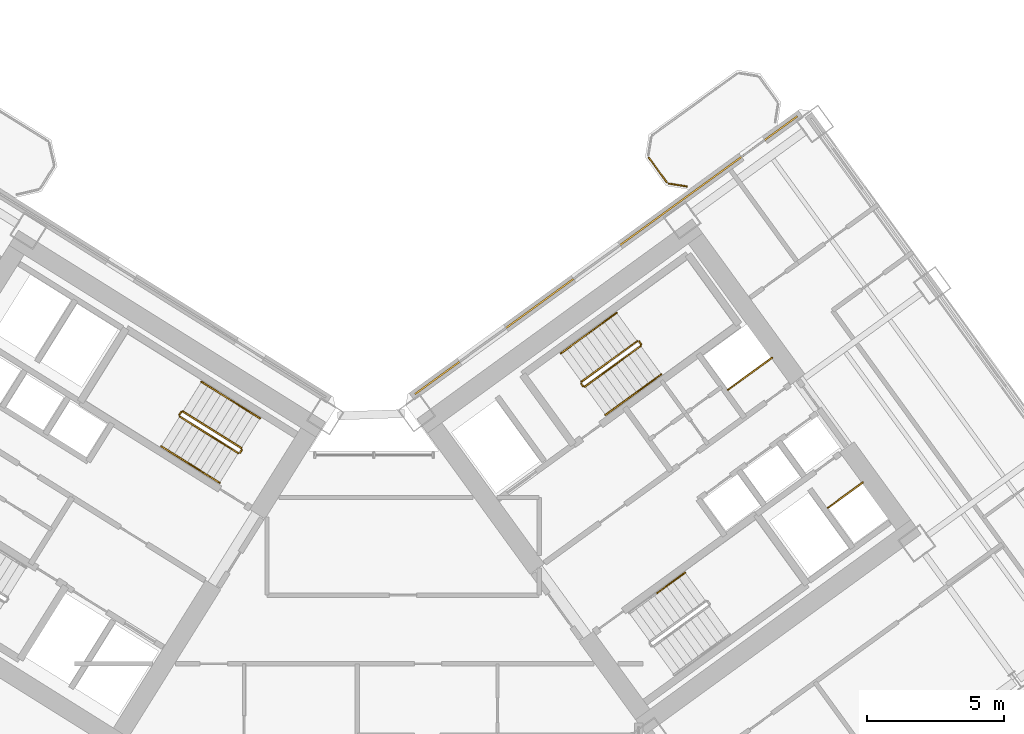
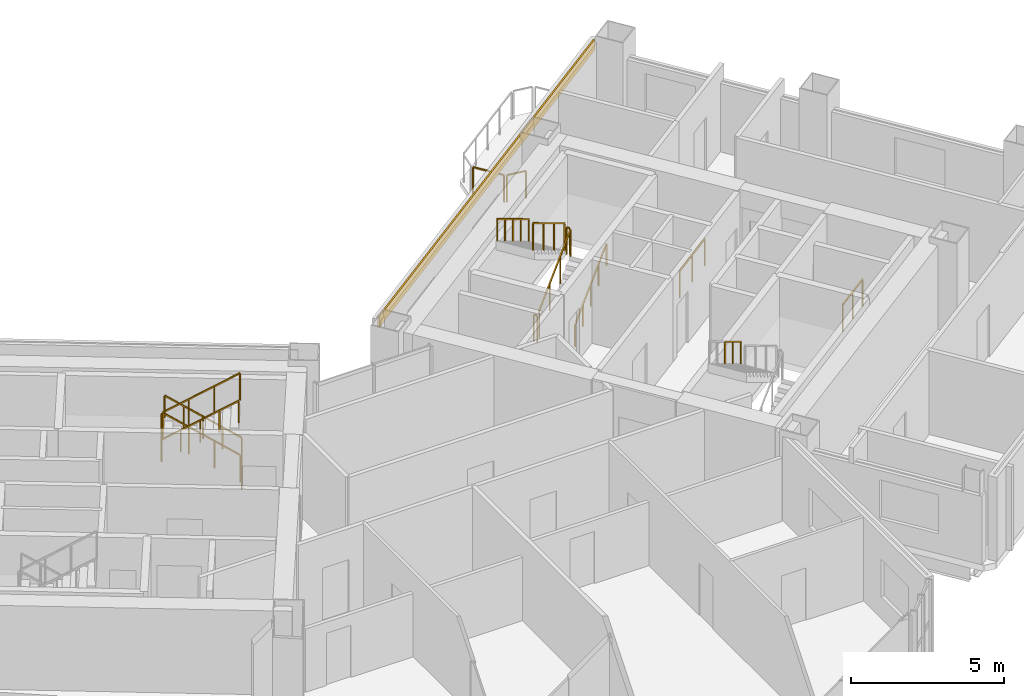
# One storey, part 27 of 28: 21 railings, 1 covering.
"""IFC4 building model written with IfcOpenShell, lengths in metres."""

from ifc_helpers import new_model, si_unit, direction, frame, origin, origin_2d, place, context, subcontext, project, spatial, rectangle, extrude, source, transform, mapped, material, layer, layer_set, type_object, element, save


model = new_model("IFC4")

# Units and contexts
model_context = context("Model", 3, precision=1e-05, world=origin(), true_north=direction((0.0, 1.0)))
body_context = subcontext(model_context, "Body", "Model", "MODEL_VIEW")
ifc_project = project(units=[si_unit("LENGTHUNIT", "METRE"), si_unit("AREAUNIT", "SQUARE_METRE"), si_unit("VOLUMEUNIT", "CUBIC_METRE"), si_unit("PLANEANGLEUNIT", "RADIAN"), si_unit("MASSUNIT", "GRAM", prefix="KILO")], contexts=[model_context])

# Site, building, storey
site_placement = place(None, origin())
site = spatial("IfcSite", under=ifc_project, at=site_placement, CompositionType="ELEMENT")
building_placement = place(site_placement, origin())
building = spatial("IfcBuilding", under=site, at=building_placement, Name="Tlacorven Tower", CompositionType="ELEMENT")
storey_placement = place(building_placement, frame((0.0, 0.0, 34.800048828125)))
storey = spatial("IfcBuildingStorey", under=building, at=storey_placement, Name="L08", CompositionType="ELEMENT", Elevation=34.800048828125)

# Railings
ifc_material_1 = material(Name="Aluminium and painted steel balustrade", Category="steel")
railing_type_1 = type_object("IfcRailingType", Name="RL-GRD-1100", PredefinedType="GUARDRAIL", material=ifc_material_1)
shared_shape_1 = source(origin(), body_context, "Body", "SweptSolid", [
    extrude(rectangle(XDim=0.048095703125, YDim=0.048095703125, at=origin_2d()), frame((0.0, 0.0, 1.076171875), z_axis=(0.808947177504, 0.587881334972, 0.0), x_axis=(-0.587881334972, 0.808947177504, 0.0)), (0.0, 0.0, 1.0), 2.0),
    extrude(rectangle(XDim=0.0419921875, YDim=0.0419921875, at=origin_2d()), origin(), (0.0, 0.0, 1.0), 1.052001953125),
    extrude(rectangle(XDim=0.0419921875, YDim=0.0419921875, at=origin_2d()), frame((0.80908203125, 0.587890625, 0.0)), (0.0, 0.0, 1.0), 1.052001953125),
    extrude(rectangle(XDim=0.0419921875, YDim=0.0419921875, at=origin_2d()), frame((1.617919921875, 1.17578125, 0.0)), (0.0, 0.0, 1.0), 1.052001953125),
])
railing_1_placement = place(storey_placement, frame((55.506103515625, 25.438232421875, 0.0)))
element("IfcRailing", 1, at=railing_1_placement, inside=storey, type_object=railing_type_1, Name="L08 Electrical Riser E Shaft Guard 1", PredefinedType="GUARDRAIL", context=body_context, shape_type="MappedRepresentation", body=[
    mapped(shared_shape_1, transform((0.0, 0.0, 0.0), scale=1.0)),
])
shared_shape_2 = source(origin(), body_context, "Body", "SweptSolid", [
    extrude(rectangle(XDim=0.048095703125, YDim=0.048095703125, at=origin_2d()), frame((0.0, 0.0, 1.076171875), z_axis=(0.809029975545, 0.58776738483, 0.0), x_axis=(-0.58776738483, 0.809029975545, 0.0)), (0.0, 0.0, 1.0), 1.580078125),
    extrude(rectangle(XDim=0.0419921875, YDim=0.0419921875, at=origin_2d()), origin(), (0.0, 0.0, 1.0), 1.052001953125),
    extrude(rectangle(XDim=0.0419921875, YDim=0.0419921875, at=origin_2d()), frame((0.63916015625, 0.46435546875, 0.0)), (0.0, 0.0, 1.0), 1.052001953125),
    extrude(rectangle(XDim=0.0419921875, YDim=0.0419921875, at=origin_2d()), frame((1.2783203125, 0.9287109375, 0.0)), (0.0, 0.0, 1.0), 1.052001953125),
])
railing_2_placement = place(storey_placement, frame((59.160888671875, 21.122314453125, 0.0)))
element("IfcRailing", 2, at=railing_2_placement, inside=storey, type_object=railing_type_1, Name="L08 Smoke Riser E Shaft Guard 1", PredefinedType="GUARDRAIL", context=body_context, shape_type="MappedRepresentation", body=[
    mapped(shared_shape_2, transform((0.0, 0.0, 0.0), scale=1.0)),
])
railing_type_2 = type_object("IfcRailingType", Name="RL-BAL-1100", PredefinedType="BALUSTRADE", material=ifc_material_1)
shared_shape_3 = source(origin(), body_context, "Body", "SweptSolid", [
    extrude(rectangle(XDim=0.048095703125, YDim=0.048095703125, at=origin_2d()), frame((0.0, 0.0, 1.076171875), z_axis=(-0.987718317463, 0.156245081039, 0.0), x_axis=(-0.156245081039, -0.987718317463, 0.0)), (0.0, 0.0, 1.0), 0.66552734375),
    extrude(rectangle(XDim=0.0419921875, YDim=0.0419921875, at=origin_2d()), origin(), (0.0, 0.0, 1.0), 1.052001953125),
    extrude(rectangle(XDim=0.0419921875, YDim=0.0419921875, at=origin_2d()), frame((-0.657470703125, 0.10400390625, 0.0)), (0.0, 0.0, 1.0), 1.052001953125),
])
railing_3_placement = place(storey_placement, frame((54.00341796875, 32.8759765625, 0.0)))
element("IfcRailing", 3, at=railing_3_placement, inside=storey, type_object=railing_type_2, Name="BAL-L08-E-IN Guard Railing 1", PredefinedType="BALUSTRADE", context=body_context, shape_type="MappedRepresentation", body=[
    mapped(shared_shape_3, transform((0.0, 0.0, 0.0), scale=1.0)),
])
shared_shape_4 = source(origin(), body_context, "Body", "SweptSolid", [
    extrude(rectangle(XDim=0.048095703125, YDim=0.048095703125, at=origin_2d()), frame((0.0, 0.0, 1.076171875), z_axis=(-0.587740817519, 0.809049276263, 0.0), x_axis=(-0.809049276263, -0.587740817519, 0.0)), (0.0, 0.0, 1.0), 1.112060546875),
    extrude(rectangle(XDim=0.0419921875, YDim=0.0419921875, at=origin_2d()), origin(), (0.0, 0.0, 1.0), 1.052001953125),
    extrude(rectangle(XDim=0.0419921875, YDim=0.0419921875, at=origin_2d()), frame((-0.653564453125, 0.899658203125, 0.0)), (0.0, 0.0, 1.0), 1.052001953125),
])
railing_4_placement = place(storey_placement, frame((53.26708984375, 33.0283203125, 0.0)))
element("IfcRailing", 4, at=railing_4_placement, inside=storey, type_object=railing_type_2, Name="BAL-L08-E-IN Guard Railing 2", PredefinedType="BALUSTRADE", context=body_context, shape_type="MappedRepresentation", body=[
    mapped(shared_shape_4, transform((0.0, 0.0, 0.0), scale=1.0)),
])

# Covering
ifc_material_2 = material(Name="Precast concrete C45/55", Category="concrete")
ifc_layer = layer(ifc_material_2, 0.06005859375)
ifc_layer_set = layer_set([ifc_layer], Name="Precast concrete C45/55")
covering_type = type_object("IfcCoveringType", Name="CV-CLD-TERC", PredefinedType="CLADDING", material=ifc_layer_set)
shared_shape_5 = source(origin(), body_context, "Body", "SweptSolid", [
    extrude(rectangle(XDim=17.287353515625, YDim=0.06005859375, at=origin_2d()), origin(), (0.0, 0.0, 1.0), 0.419921875),
])
covering_placement = place(storey_placement, frame((51.05224609375, 30.360595703125, 2.929931640625), z_axis=(0.0, 0.0, 1.0), x_axis=(0.809017097486, 0.587785110372, 0.0)))
element("IfcCovering", 5, at=covering_placement, inside=storey, type_object=covering_type, Name="L08 Masonry-Frame Spandrel Cladding 4", PredefinedType="CLADDING", context=body_context, shape_type="MappedRepresentation", body=[
    mapped(shared_shape_5, transform((0.0, 0.0, 0.0), scale=1.0)),
])

# Railings
shared_shape_6 = source(origin(), body_context, "Body", "SweptSolid", [
    extrude(rectangle(XDim=0.048095703125, YDim=0.048095703125, at=origin_2d()), frame((0.0, 0.0, 1.076171875), z_axis=(-0.713319727316, 0.445773895627, 0.540796265334), x_axis=(-0.529955395941, -0.84802551749, 0.0)), (0.0, 0.0, 1.0), 2.995849609375),
    extrude(rectangle(XDim=0.0419921875, YDim=0.0419921875, at=origin_2d()), origin(), (0.0, 0.0, 1.0), 1.052001953125),
    extrude(rectangle(XDim=0.0419921875, YDim=0.0419921875, at=origin_2d()), frame((-0.71240234375, 0.445068359375, 0.5400390625)), (0.0, 0.0, 1.0), 1.052001953125),
    extrude(rectangle(XDim=0.0419921875, YDim=0.0419921875, at=origin_2d()), frame((-1.424560546875, 0.890380859375, 1.080078125)), (0.0, 0.0, 1.0), 1.052001953125),
    extrude(rectangle(XDim=0.0419921875, YDim=0.0419921875, at=origin_2d()), frame((-2.136962890625, 1.33544921875, 1.6201171875)), (0.0, 0.0, 1.0), 1.052001953125),
])
railing_5_placement = place(storey_placement, frame((37.712158203125, 23.3095703125, 0.179931640625)))
element("IfcRailing", 6, at=railing_5_placement, inside=storey, type_object=railing_type_1, Name="L08 ST-W2 stair guard 1", PredefinedType="GUARDRAIL", context=body_context, shape_type="MappedRepresentation", body=[
    mapped(shared_shape_6, transform((0.0, 0.0, 0.0), scale=1.0)),
])
shared_shape_7 = source(origin(), body_context, "Body", "SweptSolid", [
    extrude(rectangle(XDim=0.048095703125, YDim=0.048095703125, at=origin_2d()), frame((0.0, 0.0, 1.076171875), z_axis=(-0.530546985787, -0.847655529016, 0.0), x_axis=(0.847655529016, -0.530546985787, 0.0)), (0.0, 0.0, 1.0), 0.1201171875),
    extrude(rectangle(XDim=0.0419921875, YDim=0.0419921875, at=origin_2d()), origin(), (0.0, 0.0, 1.0), 1.052001953125),
    extrude(rectangle(XDim=0.0419921875, YDim=0.0419921875, at=origin_2d()), frame((-0.063720703125, -0.101806640625, 0.0)), (0.0, 0.0, 1.0), 1.052001953125),
])
railing_6_placement = place(storey_placement, frame((37.728271484375, 23.24072265625, 0.0)))
element("IfcRailing", 7, at=railing_6_placement, inside=storey, type_object=railing_type_1, Name="L08 ST-W2 stair guard 4", PredefinedType="GUARDRAIL", context=body_context, shape_type="MappedRepresentation", body=[
    mapped(shared_shape_7, transform((0.0, 0.0, 0.0), scale=1.0)),
])
railing_type_3 = type_object("IfcRailingType", Name="RL-HND-0900", PredefinedType="HANDRAIL", material=ifc_material_1)
shared_shape_8 = source(origin(), body_context, "Body", "SweptSolid", [
    extrude(rectangle(XDim=0.048095703125, YDim=0.048095703125, at=origin_2d()), frame((0.0, 0.0, 0.8759765625), z_axis=(-0.713359751793, 0.4457479829, 0.540764828981), x_axis=(-0.529911857636, -0.848052724267, 0.0)), (0.0, 0.0, 1.0), 1.498046875),
    extrude(rectangle(XDim=0.0419921875, YDim=0.0419921875, at=origin_2d()), origin(), (0.0, 0.0, 1.0), 0.851806640625),
    extrude(rectangle(XDim=0.0419921875, YDim=0.0419921875, at=origin_2d()), frame((-0.5341796875, 0.333984375, 0.405029296875)), (0.0, 0.0, 1.0), 0.851806640625),
    extrude(rectangle(XDim=0.0419921875, YDim=0.0419921875, at=origin_2d()), frame((-1.068603515625, 0.667724609375, 0.81005859375)), (0.0, 0.0, 1.0), 0.851806640625),
])
for number, where, name in (
    (8, (38.390625, 24.39501953125, 0.179931640625), "L08 ST-W2 stair handrail 1"),
    (9, (37.322021484375, 25.062744140625, 0.989990234375), "L08 ST-W2 stair handrail 2"),
):
    element("IfcRailing", number, at=place(storey_placement, frame(where)), inside=storey, type_object=railing_type_3, Name=name, PredefinedType="HANDRAIL", context=body_context, shape_type="MappedRepresentation", body=[
        mapped(shared_shape_8, transform((0.0, 0.0, 0.0), scale=1.0)),
    ])
shared_shape_9 = source(origin(), body_context, "Body", "SweptSolid", [
    extrude(rectangle(XDim=0.048095703125, YDim=0.048095703125, at=origin_2d()), frame((0.0, 0.0, 0.8759765625), z_axis=(0.713359751793, -0.4457479829, 0.540764828981), x_axis=(0.529911857636, 0.848052724267, 0.0)), (0.0, 0.0, 1.0), 1.498046875),
    extrude(rectangle(XDim=0.0419921875, YDim=0.0419921875, at=origin_2d()), origin(), (0.0, 0.0, 1.0), 0.851806640625),
    extrude(rectangle(XDim=0.0419921875, YDim=0.0419921875, at=origin_2d()), frame((0.5341796875, -0.333984375, 0.405029296875)), (0.0, 0.0, 1.0), 0.851806640625),
    extrude(rectangle(XDim=0.0419921875, YDim=0.0419921875, at=origin_2d()), frame((1.068603515625, -0.667724609375, 0.81005859375)), (0.0, 0.0, 1.0), 0.851806640625),
])
railing_7_placement = place(storey_placement, frame((34.7802734375, 23.372802734375, 1.97998046875)))
element("IfcRailing", 10, at=railing_7_placement, inside=storey, type_object=railing_type_3, Name="L08 ST-W2 stair handrail 3", PredefinedType="HANDRAIL", context=body_context, shape_type="MappedRepresentation", body=[
    mapped(shared_shape_9, transform((0.0, 0.0, 0.0), scale=1.0)),
])
shared_shape_10 = source(origin(), body_context, "Body", "SweptSolid", [
    extrude(rectangle(XDim=0.048095703125, YDim=0.048095703125, at=origin_2d()), frame((0.0, 0.0, 0.8759765625), z_axis=(0.713422621445, -0.445787267455, 0.540649494022), x_axis=(0.529911857636, 0.848052724267, 0.0)), (0.0, 0.0, 1.0), 1.497802734375),
    extrude(rectangle(XDim=0.0419921875, YDim=0.0419921875, at=origin_2d()), origin(), (0.0, 0.0, 1.0), 0.851806640625),
    extrude(rectangle(XDim=0.0419921875, YDim=0.0419921875, at=origin_2d()), frame((0.5341796875, -0.333984375, 0.40478515625)), (0.0, 0.0, 1.0), 0.851806640625),
    extrude(rectangle(XDim=0.0419921875, YDim=0.0419921875, at=origin_2d()), frame((1.068603515625, -0.667724609375, 0.809814453125)), (0.0, 0.0, 1.0), 0.851806640625),
])
railing_8_placement = place(storey_placement, frame((35.848876953125, 22.705078125, 2.7900390625)))
element("IfcRailing", 11, at=railing_8_placement, inside=storey, type_object=railing_type_3, Name="L08 ST-W2 stair handrail 4", PredefinedType="HANDRAIL", context=body_context, shape_type="MappedRepresentation", body=[
    mapped(shared_shape_10, transform((0.0, 0.0, 0.0), scale=1.0)),
])
shared_shape_11 = source(origin(), body_context, "Body", "SweptSolid", [
    extrude(rectangle(XDim=0.048095703125, YDim=0.048095703125, at=origin_2d()), frame((0.0, 0.0, 1.076171875), z_axis=(-0.531462422766, -0.847081869236, 0.0), x_axis=(0.847081869236, -0.531462422766, 0.0)), (0.0, 0.0, 1.0), 0.119873046875),
    extrude(rectangle(XDim=0.0419921875, YDim=0.0419921875, at=origin_2d()), origin(), (0.0, 0.0, 1.0), 1.052001953125),
    extrude(rectangle(XDim=0.0419921875, YDim=0.0419921875, at=origin_2d()), frame((-0.063720703125, -0.1015625, 0.0)), (0.0, 0.0, 1.0), 1.052001953125),
])
railing_9_placement = place(storey_placement, frame((35.50634765625, 24.62890625, 1.800048828125)))
element("IfcRailing", 12, at=railing_9_placement, inside=storey, type_object=railing_type_1, Name="L08 ST-W2 stair guard 2", PredefinedType="GUARDRAIL", context=body_context, shape_type="MappedRepresentation", body=[
    mapped(shared_shape_11, transform((0.0, 0.0, 0.0), scale=1.0)),
])
shared_shape_12 = source(origin(), body_context, "Body", "SweptSolid", [
    extrude(rectangle(XDim=0.048095703125, YDim=0.048095703125, at=origin_2d()), frame((0.0, 0.0, 1.076171875), z_axis=(0.713417101326, -0.445702322042, 0.540726806865), x_axis=(0.52984217967, 0.848096259066, 0.0)), (0.0, 0.0, 1.0), 2.995849609375),
    extrude(rectangle(XDim=0.0419921875, YDim=0.0419921875, at=origin_2d()), origin(), (0.0, 0.0, 1.0), 1.052001953125),
    extrude(rectangle(XDim=0.0419921875, YDim=0.0419921875, at=origin_2d()), frame((0.71240234375, -0.445068359375, 0.5400390625)), (0.0, 0.0, 1.0), 1.052001953125),
    extrude(rectangle(XDim=0.0419921875, YDim=0.0419921875, at=origin_2d()), frame((1.4248046875, -0.89013671875, 1.079833984375)), (0.0, 0.0, 1.0), 1.052001953125),
    extrude(rectangle(XDim=0.0419921875, YDim=0.0419921875, at=origin_2d()), frame((2.13720703125, -1.335205078125, 1.619873046875)), (0.0, 0.0, 1.0), 1.052001953125),
])
railing_10_placement = place(storey_placement, frame((35.45849609375, 24.458251953125, 1.97998046875)))
element("IfcRailing", 13, at=railing_10_placement, inside=storey, type_object=railing_type_1, Name="L08 ST-W2 stair guard 3", PredefinedType="GUARDRAIL", context=body_context, shape_type="MappedRepresentation", body=[
    mapped(shared_shape_12, transform((0.0, 0.0, 0.0), scale=1.0)),
])
shared_shape_13 = source(origin(), body_context, "Body", "SweptSolid", [
    extrude(rectangle(XDim=0.048095703125, YDim=0.048095703125, at=origin_2d()), frame((0.0, 0.0, 1.076171875), z_axis=(-0.587201422542, 0.809440849824, 0.0), x_axis=(-0.809440849824, -0.587201422542, 0.0)), (0.0, 0.0, 1.0), 0.11962890625),
    extrude(rectangle(XDim=0.0419921875, YDim=0.0419921875, at=origin_2d()), origin(), (0.0, 0.0, 1.0), 1.052001953125),
    extrude(rectangle(XDim=0.0419921875, YDim=0.0419921875, at=origin_2d()), frame((-0.0703125, 0.096923828125, 0.0)), (0.0, 0.0, 1.0), 1.052001953125),
])
for number, where, name in (
    (14, (52.326904296875, 27.10888671875, 1.800048828125), "L08 ST-E1 stair guard 2"),
    (15, (50.207275390625, 25.56884765625, 0.0), "L08 ST-E1 stair guard 4"),
):
    element("IfcRailing", number, at=place(storey_placement, frame(where)), inside=storey, type_object=railing_type_1, Name=name, PredefinedType="GUARDRAIL", context=body_context, shape_type="MappedRepresentation", body=[
        mapped(shared_shape_13, transform((0.0, 0.0, 0.0), scale=1.0)),
    ])
shared_shape_14 = source(origin(), body_context, "Body", "SweptSolid", [
    extrude(rectangle(XDim=0.048095703125, YDim=0.048095703125, at=origin_2d()), frame((0.0, 0.0, 1.076171875), z_axis=(0.680488636597, 0.494434078831, 0.540805100894), x_axis=(-0.5878087079, 0.808999952359, 0.0)), (0.0, 0.0, 1.0), 2.995849609375),
    extrude(rectangle(XDim=0.0419921875, YDim=0.0419921875, at=origin_2d()), origin(), (0.0, 0.0, 1.0), 1.052001953125),
    extrude(rectangle(XDim=0.0419921875, YDim=0.0419921875, at=origin_2d()), frame((0.679443359375, 0.49365234375, 0.5400390625)), (0.0, 0.0, 1.0), 1.052001953125),
    extrude(rectangle(XDim=0.0419921875, YDim=0.0419921875, at=origin_2d()), frame((1.359130859375, 0.987548828125, 1.080078125)), (0.0, 0.0, 1.0), 1.052001953125),
    extrude(rectangle(XDim=0.0419921875, YDim=0.0419921875, at=origin_2d()), frame((2.03857421875, 1.481201171875, 1.6201171875)), (0.0, 0.0, 1.0), 1.052001953125),
])
railing_11_placement = place(storey_placement, frame((50.27734375, 25.557861328125, 0.179931640625)))
element("IfcRailing", 16, at=railing_11_placement, inside=storey, type_object=railing_type_1, Name="L08 ST-E1 stair guard 1", PredefinedType="GUARDRAIL", context=body_context, shape_type="MappedRepresentation", body=[
    mapped(shared_shape_14, transform((0.0, 0.0, 0.0), scale=1.0)),
])
shared_shape_15 = source(origin(), body_context, "Body", "SweptSolid", [
    extrude(rectangle(XDim=0.048095703125, YDim=0.048095703125, at=origin_2d()), frame((0.0, 0.0, 0.8759765625), z_axis=(0.680516055757, 0.494372502302, 0.540826891737), x_axis=(-0.587745292299, 0.809046025502, 0.0)), (0.0, 0.0, 1.0), 1.497802734375),
    extrude(rectangle(XDim=0.0419921875, YDim=0.0419921875, at=origin_2d()), origin(), (0.0, 0.0, 1.0), 0.851806640625),
    extrude(rectangle(XDim=0.0419921875, YDim=0.0419921875, at=origin_2d()), frame((0.509765625, 0.3701171875, 0.405029296875)), (0.0, 0.0, 1.0), 0.851806640625),
    extrude(rectangle(XDim=0.0419921875, YDim=0.0419921875, at=origin_2d()), frame((1.019287109375, 0.740478515625, 0.81005859375)), (0.0, 0.0, 1.0), 0.851806640625),
])
railing_12_placement = place(storey_placement, frame((51.029541015625, 24.522216796875, 0.179931640625)))
element("IfcRailing", 17, at=railing_12_placement, inside=storey, type_object=railing_type_3, Name="L08 ST-E1 stair handrail 1", PredefinedType="HANDRAIL", context=body_context, shape_type="MappedRepresentation", body=[
    mapped(shared_shape_15, transform((0.0, 0.0, 0.0), scale=1.0)),
])
shared_shape_16 = source(origin(), body_context, "Body", "SweptSolid", [
    extrude(rectangle(XDim=0.048095703125, YDim=0.048095703125, at=origin_2d()), frame((0.0, 0.0, 0.8759765625), z_axis=(0.680548719995, 0.49444080854, 0.540723336433), x_axis=(-0.587779977844, 0.80902082646, 0.0)), (0.0, 0.0, 1.0), 1.498046875),
    extrude(rectangle(XDim=0.0419921875, YDim=0.0419921875, at=origin_2d()), origin(), (0.0, 0.0, 1.0), 0.851806640625),
    extrude(rectangle(XDim=0.0419921875, YDim=0.0419921875, at=origin_2d()), frame((0.509765625, 0.370361328125, 0.405029296875)), (0.0, 0.0, 1.0), 0.851806640625),
    extrude(rectangle(XDim=0.0419921875, YDim=0.0419921875, at=origin_2d()), frame((1.01953125, 0.74072265625, 0.81005859375)), (0.0, 0.0, 1.0), 0.851806640625),
])
railing_13_placement = place(storey_placement, frame((52.048828125, 25.2626953125, 0.989990234375)))
element("IfcRailing", 18, at=railing_13_placement, inside=storey, type_object=railing_type_3, Name="L08 ST-E1 stair handrail 2", PredefinedType="HANDRAIL", context=body_context, shape_type="MappedRepresentation", body=[
    mapped(shared_shape_16, transform((0.0, 0.0, 0.0), scale=1.0)),
])
shared_shape_17 = source(origin(), body_context, "Body", "SweptSolid", [
    extrude(rectangle(XDim=0.048095703125, YDim=0.048095703125, at=origin_2d()), frame((0.0, 0.0, 0.8759765625), z_axis=(-0.680603554404, -0.494317667746, 0.540766904577), x_axis=(0.587653156371, -0.809112951205, 0.0)), (0.0, 0.0, 1.0), 1.498046875),
    extrude(rectangle(XDim=0.0419921875, YDim=0.0419921875, at=origin_2d()), origin(), (0.0, 0.0, 1.0), 0.851806640625),
    extrude(rectangle(XDim=0.0419921875, YDim=0.0419921875, at=origin_2d()), frame((-0.509765625, -0.3701171875, 0.405029296875)), (0.0, 0.0, 1.0), 0.851806640625),
    extrude(rectangle(XDim=0.0419921875, YDim=0.0419921875, at=origin_2d()), frame((-1.01953125, -0.740478515625, 0.81005859375)), (0.0, 0.0, 1.0), 0.851806640625),
])
railing_14_placement = place(storey_placement, frame((51.434326171875, 28.25244140625, 1.97998046875)))
element("IfcRailing", 19, at=railing_14_placement, inside=storey, type_object=railing_type_3, Name="L08 ST-E1 stair handrail 3", PredefinedType="HANDRAIL", context=body_context, shape_type="MappedRepresentation", body=[
    mapped(shared_shape_17, transform((0.0, 0.0, 0.0), scale=1.0)),
])
shared_shape_18 = source(origin(), body_context, "Body", "SweptSolid", [
    extrude(rectangle(XDim=0.048095703125, YDim=0.048095703125, at=origin_2d()), frame((0.0, 0.0, 1.076171875), z_axis=(-0.680518627673, -0.494455869951, 0.540747436481), x_axis=(0.5878087079, -0.808999952359, 0.0)), (0.0, 0.0, 1.0), 2.99560546875),
    extrude(rectangle(XDim=0.0419921875, YDim=0.0419921875, at=origin_2d()), origin(), (0.0, 0.0, 1.0), 1.052001953125),
    extrude(rectangle(XDim=0.0419921875, YDim=0.0419921875, at=origin_2d()), frame((-0.679443359375, -0.49365234375, 0.5400390625)), (0.0, 0.0, 1.0), 1.052001953125),
    extrude(rectangle(XDim=0.0419921875, YDim=0.0419921875, at=origin_2d()), frame((-1.359130859375, -0.987548828125, 1.079833984375)), (0.0, 0.0, 1.0), 1.052001953125),
    extrude(rectangle(XDim=0.0419921875, YDim=0.0419921875, at=origin_2d()), frame((-2.03857421875, -1.481201171875, 1.619873046875)), (0.0, 0.0, 1.0), 1.052001953125),
])
railing_15_placement = place(storey_placement, frame((52.1865234375, 27.217041015625, 1.97998046875)))
element("IfcRailing", 20, at=railing_15_placement, inside=storey, type_object=railing_type_1, Name="L08 ST-E1 stair guard 3", PredefinedType="GUARDRAIL", context=body_context, shape_type="MappedRepresentation", body=[
    mapped(shared_shape_18, transform((0.0, 0.0, 0.0), scale=1.0)),
])
shared_shape_19 = source(origin(), body_context, "Body", "SweptSolid", [
    extrude(rectangle(XDim=0.048095703125, YDim=0.048095703125, at=origin_2d()), frame((0.0, 0.0, 0.8759765625), z_axis=(-0.680521190579, -0.494539231669, 0.540667973449), x_axis=(0.587872112667, -0.808953879494, 0.0)), (0.0, 0.0, 1.0), 1.497802734375),
    extrude(rectangle(XDim=0.0419921875, YDim=0.0419921875, at=origin_2d()), origin(), (0.0, 0.0, 1.0), 0.851806640625),
    extrude(rectangle(XDim=0.0419921875, YDim=0.0419921875, at=origin_2d()), frame((-0.509765625, -0.370361328125, 0.40478515625)), (0.0, 0.0, 1.0), 0.851806640625),
    extrude(rectangle(XDim=0.0419921875, YDim=0.0419921875, at=origin_2d()), frame((-1.019287109375, -0.74072265625, 0.809814453125)), (0.0, 0.0, 1.0), 0.851806640625),
])
railing_16_placement = place(storey_placement, frame((50.414794921875, 27.511962890625, 2.7900390625)))
element("IfcRailing", 21, at=railing_16_placement, inside=storey, type_object=railing_type_3, Name="L08 ST-E1 stair handrail 4", PredefinedType="HANDRAIL", context=body_context, shape_type="MappedRepresentation", body=[
    mapped(shared_shape_19, transform((0.0, 0.0, 0.0), scale=1.0)),
])
shared_shape_20 = source(origin(), body_context, "Body", "SweptSolid", [
    extrude(rectangle(XDim=0.048095703125, YDim=0.048095703125, at=origin_2d()), frame((0.0, 0.0, 0.8759765625), z_axis=(-0.680516055757, -0.494372502302, 0.540826891737), x_axis=(0.587745292299, -0.809046025502, 0.0)), (0.0, 0.0, 1.0), 1.497802734375),
    extrude(rectangle(XDim=0.0419921875, YDim=0.0419921875, at=origin_2d()), origin(), (0.0, 0.0, 1.0), 0.851806640625),
    extrude(rectangle(XDim=0.0419921875, YDim=0.0419921875, at=origin_2d()), frame((-0.509765625, -0.3701171875, 0.405029296875)), (0.0, 0.0, 1.0), 0.851806640625),
    extrude(rectangle(XDim=0.0419921875, YDim=0.0419921875, at=origin_2d()), frame((-1.019287109375, -0.740478515625, 0.81005859375)), (0.0, 0.0, 1.0), 0.851806640625),
])
railing_17_placement = place(storey_placement, frame((53.938232421875, 18.749267578125, 1.97998046875)))
element("IfcRailing", 22, at=railing_17_placement, inside=storey, type_object=railing_type_3, Name="L08 ST-E2 stair handrail 3", PredefinedType="HANDRAIL", context=body_context, shape_type="MappedRepresentation", body=[
    mapped(shared_shape_20, transform((0.0, 0.0, 0.0), scale=1.0)),
])

save(model, "model.ifc")
